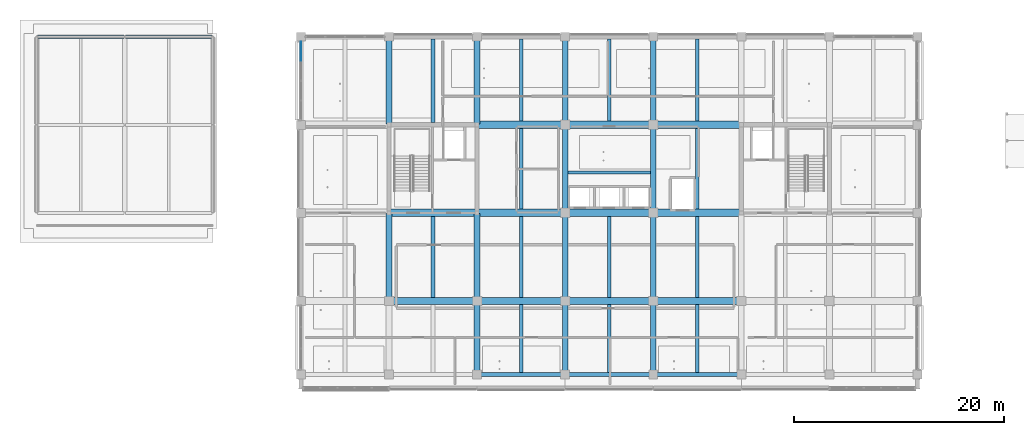
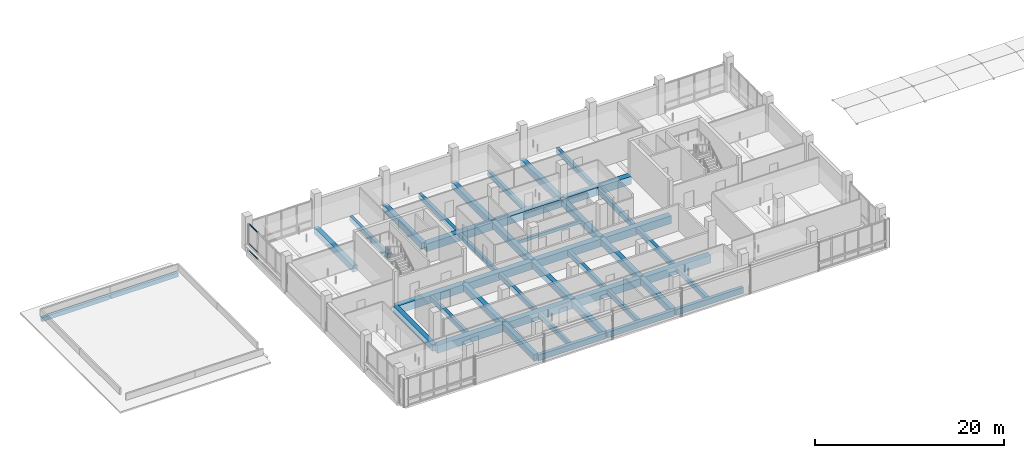
# One storey, part 5 of 39: 43 beams, 3 members, 1 element without a shape of its own.
"""IFC4 building model written with IfcOpenShell, lengths in metres."""

from ifc_helpers import new_model, si_unit, direction, frame, origin, origin_2d, place, context, subcontext, project, spatial, rectangle, extrude, material, layer, layer_set, material_profile, profile_set, type_object, element, aggregate, save


model = new_model("IFC4")

# Units and contexts
model_context = context("Model", 3, precision=1e-05, world=origin(), true_north=direction((0.0, 1.0)))
body_context = subcontext(model_context, "Body", "Model", "MODEL_VIEW")
ifc_project = project(units=[si_unit("LENGTHUNIT", "METRE"), si_unit("AREAUNIT", "SQUARE_METRE"), si_unit("VOLUMEUNIT", "CUBIC_METRE"), si_unit("PLANEANGLEUNIT", "RADIAN"), si_unit("MASSUNIT", "GRAM", prefix="KILO")], contexts=[model_context])

# Site, building, storey
site_placement = place(None, origin())
site = spatial("IfcSite", under=ifc_project, at=site_placement, CompositionType="ELEMENT")
building_placement = place(site_placement, origin())
building = spatial("IfcBuilding", under=site, at=building_placement, Name="Telukmera Botanical Conservatory", CompositionType="ELEMENT")
storey_placement = place(building_placement, frame((0.0, 0.0, 19.5)))
storey = spatial("IfcBuildingStorey", under=building, at=storey_placement, Name="L04", CompositionType="ELEMENT", Elevation=19.5)

# Beams
ifc_material_1 = material(Name="Concrete C50/60", Category="concrete")
ifc_material_profile_1 = material_profile(ifc_material_1, rectangle(XDim=0.699951171875, YDim=1.0, at=origin_2d()), Name="RC 700x1000")
ifc_profile_set_1 = profile_set([ifc_material_profile_1], Name="Concrete C50/60")
beam_type_1 = type_object("IfcBeamType", Name="Beam_B1", PredefinedType="BEAM", material=ifc_profile_set_1)
beam_1_placement = place(storey_placement, frame((58.8798828125, 17.60009765625, -0.5), z_axis=(1.0, 0.0, 0.0), x_axis=(0.0, 1.0, 0.0)))
element("IfcBeam", 1, at=beam_1_placement, inside=storey, type_object=beam_type_1, Name="Tower Grid Beam L04", PredefinedType="BEAM", context=body_context, shape_type="SweptSolid", body=[
    extrude(rectangle(XDim=0.699951171875, YDim=1.0, at=origin_2d()), origin(), (0.0, 0.0, 1.0), 8.240234375),
])
for number, where, z_axis, x_axis, name in (
    (2, (67.280029296875, 17.60009765625, -0.5), (1.0, 0.0, 0.0), (0.0, 1.0, 0.0), "Tower Grid Beam L04"),
    (3, (75.679931640625, 17.60009765625, -0.5), (1.0, 0.0, 0.0), (0.0, 1.0, 0.0), "Tower Grid Beam L04"),
    (4, (84.080078125, 17.60009765625, -0.5), (1.0, 0.0, 0.0), (0.0, 1.0, 0.0), "Tower Grid Beam L04"),
):
    element("IfcBeam", number, at=place(storey_placement, frame(where, z_axis=z_axis, x_axis=x_axis)), inside=storey, type_object=beam_type_1, Name=name, PredefinedType="BEAM", context=body_context, shape_type="SweptSolid", body=[
        extrude(rectangle(XDim=0.699951171875, YDim=1.0, at=origin_2d()), origin(), (0.0, 0.0, 1.0), 8.239990234375),
    ])
beam_2_placement = place(storey_placement, frame((58.8798828125, 26.0, -0.5), z_axis=(1.0, 0.0, 0.0), x_axis=(0.0, 1.0, 0.0)))
element("IfcBeam", 5, at=beam_2_placement, inside=storey, type_object=beam_type_1, Name="Tower Grid Beam L04", PredefinedType="BEAM", context=body_context, shape_type="SweptSolid", body=[
    extrude(rectangle(XDim=0.699951171875, YDim=1.0, at=origin_2d()), origin(), (0.0, 0.0, 1.0), 8.240234375),
])
for number, where, z_axis, x_axis, name in (
    (6, (67.280029296875, 26.0, -0.5), (1.0, 0.0, 0.0), (0.0, 1.0, 0.0), "Tower Grid Beam L04"),
    (7, (75.679931640625, 26.0, -0.5), (1.0, 0.0, 0.0), (0.0, 1.0, 0.0), "Tower Grid Beam L04"),
    (8, (84.080078125, 26.0, -0.5), (1.0, 0.0, 0.0), (0.0, 1.0, 0.0), "Tower Grid Beam L04"),
    (9, (67.280029296875, 34.39990234375, -0.5), (1.0, 0.0, 0.0), (0.0, 1.0, 0.0), "Tower Grid Beam L04"),
    (10, (75.679931640625, 34.39990234375, -0.5), (1.0, 0.0, 0.0), (0.0, 1.0, 0.0), "Tower Grid Beam L04"),
    (11, (84.080078125, 34.39990234375, -0.5), (1.0, 0.0, 0.0), (0.0, 1.0, 0.0), "Tower Grid Beam L04"),
):
    element("IfcBeam", number, at=place(storey_placement, frame(where, z_axis=z_axis, x_axis=x_axis)), inside=storey, type_object=beam_type_1, Name=name, PredefinedType="BEAM", context=body_context, shape_type="SweptSolid", body=[
        extrude(rectangle(XDim=0.699951171875, YDim=1.0, at=origin_2d()), origin(), (0.0, 0.0, 1.0), 8.239990234375),
    ])
ifc_material_2 = material(Name="Concrete C40/50", Category="concrete")
ifc_material_profile_2 = material_profile(ifc_material_2, rectangle(XDim=0.300048828125, YDim=0.550048828125, at=origin_2d()), Name="RC 300x550")
ifc_profile_set_2 = profile_set([ifc_material_profile_2], Name="Concrete C40/50")
beam_type_2 = type_object("IfcBeamType", Name="Beam_B10", PredefinedType="BEAM", material=ifc_profile_set_2)
for number, where, z_axis, x_axis, name in (
    (12, (25.280029296875, 42.800048828125, -0.27490234375), (1.0, 0.0, 0.0), (0.0, 1.0, 0.0), "Visitor Wing Grid Beam L04"),
    (13, (33.679931640625, 42.800048828125, -0.27490234375), (1.0, 0.0, 0.0), (0.0, 1.0, 0.0), "Visitor Wing Grid Beam L04"),
):
    element("IfcBeam", number, at=place(storey_placement, frame(where, z_axis=z_axis, x_axis=x_axis)), inside=storey, type_object=beam_type_2, Name=name, PredefinedType="BEAM", context=body_context, shape_type="SweptSolid", body=[
        extrude(rectangle(XDim=0.300048828125, YDim=0.550048828125, at=origin_2d()), origin(), (0.0, 0.0, 1.0), 8.239990234375),
    ])
ifc_material_profile_3 = material_profile(ifc_material_2, rectangle(XDim=0.35009765625, YDim=0.64990234375, at=origin_2d()), Name="RC 350x650")
ifc_profile_set_3 = profile_set([ifc_material_profile_3], Name="Concrete C40/50")
beam_type_3 = type_object("IfcBeamType", Name="Beam_B20", PredefinedType="JOIST", material=ifc_profile_set_3)
beam_3_placement = place(storey_placement, frame((63.0, 17.949951171875, -0.324951171875), z_axis=(0.0, 1.0, 0.0), x_axis=(-1.0, 0.0, 0.0)))
element("IfcBeam", 14, at=beam_3_placement, inside=storey, type_object=beam_type_3, Name="Tower Secondary Floor Joist L04", PredefinedType="JOIST", context=body_context, shape_type="SweptSolid", body=[
    extrude(rectangle(XDim=0.35009765625, YDim=0.64990234375, at=origin_2d()), origin(), (0.0, 0.0, 1.0), 7.699951171875),
])
beam_4_placement = place(storey_placement, frame((63.0, 34.60009765625, -0.324951171875), z_axis=(0.0, 1.0, 0.0), x_axis=(-1.0, 0.0, 0.0)))
element("IfcBeam", 15, at=beam_4_placement, inside=storey, type_object=beam_type_3, Name="Tower Secondary Floor Joist L04", PredefinedType="JOIST", context=body_context, shape_type="SweptSolid", body=[
    extrude(rectangle(XDim=0.35009765625, YDim=0.64990234375, at=origin_2d()), origin(), (0.0, 0.0, 1.0), 8.0),
])
beam_5_placement = place(storey_placement, frame((71.39990234375, 10.800048828125, -0.324951171875), z_axis=(0.0, 1.0, 0.0), x_axis=(-1.0, 0.0, 0.0)))
element("IfcBeam", 16, at=beam_5_placement, inside=storey, type_object=beam_type_3, Name="Tower Secondary Floor Joist L04", PredefinedType="JOIST", context=body_context, shape_type="SweptSolid", body=[
    extrude(rectangle(XDim=0.35009765625, YDim=0.64990234375, at=origin_2d()), origin(), (0.0, 0.0, 1.0), 6.449951171875),
])
for number, where, z_axis, x_axis, name in (
    (17, (71.39990234375, 17.949951171875, -0.324951171875), (0.0, 1.0, 0.0), (-1.0, 0.0, 0.0), "Tower Secondary Floor Joist L04"),
    (18, (71.39990234375, 26.35009765625, -0.324951171875), (0.0, 1.0, 0.0), (-1.0, 0.0, 0.0), "Tower Secondary Floor Joist L04"),
):
    element("IfcBeam", number, at=place(storey_placement, frame(where, z_axis=z_axis, x_axis=x_axis)), inside=storey, type_object=beam_type_3, Name=name, PredefinedType="JOIST", context=body_context, shape_type="SweptSolid", body=[
        extrude(rectangle(XDim=0.35009765625, YDim=0.64990234375, at=origin_2d()), origin(), (0.0, 0.0, 1.0), 7.699951171875),
    ])
beam_6_placement = place(storey_placement, frame((71.39990234375, 34.75, -0.324951171875), z_axis=(0.0, 1.0, 0.0), x_axis=(-1.0, 0.0, 0.0)))
element("IfcBeam", 19, at=beam_6_placement, inside=storey, type_object=beam_type_3, Name="Tower Secondary Floor Joist L04", PredefinedType="JOIST", context=body_context, shape_type="SweptSolid", body=[
    extrude(rectangle(XDim=0.35009765625, YDim=0.64990234375, at=origin_2d()), origin(), (0.0, 0.0, 1.0), 7.85009765625),
])
beam_7_placement = place(storey_placement, frame((79.800048828125, 10.800048828125, -0.324951171875), z_axis=(0.0, 1.0, 0.0), x_axis=(-1.0, 0.0, 0.0)))
element("IfcBeam", 20, at=beam_7_placement, inside=storey, type_object=beam_type_3, Name="Tower Secondary Floor Joist L04", PredefinedType="JOIST", context=body_context, shape_type="SweptSolid", body=[
    extrude(rectangle(XDim=0.35009765625, YDim=0.64990234375, at=origin_2d()), origin(), (0.0, 0.0, 1.0), 6.449951171875),
])
beam_8_placement = place(storey_placement, frame((79.800048828125, 17.949951171875, -0.324951171875), z_axis=(0.0, 1.0, 0.0), x_axis=(-1.0, 0.0, 0.0)))
element("IfcBeam", 21, at=beam_8_placement, inside=storey, type_object=beam_type_3, Name="Tower Secondary Floor Joist L04", PredefinedType="JOIST", context=body_context, shape_type="SweptSolid", body=[
    extrude(rectangle(XDim=0.35009765625, YDim=0.64990234375, at=origin_2d()), origin(), (0.0, 0.0, 1.0), 7.699951171875),
])
beam_9_placement = place(storey_placement, frame((79.800048828125, 34.75, -0.324951171875), z_axis=(0.0, 1.0, 0.0), x_axis=(-1.0, 0.0, 0.0)))
element("IfcBeam", 22, at=beam_9_placement, inside=storey, type_object=beam_type_3, Name="Tower Secondary Floor Joist L04", PredefinedType="JOIST", context=body_context, shape_type="SweptSolid", body=[
    extrude(rectangle(XDim=0.35009765625, YDim=0.64990234375, at=origin_2d()), origin(), (0.0, 0.0, 1.0), 7.85009765625),
])
beam_10_placement = place(storey_placement, frame((88.199951171875, 10.800048828125, -0.324951171875), z_axis=(0.0, 1.0, 0.0), x_axis=(-1.0, 0.0, 0.0)))
element("IfcBeam", 23, at=beam_10_placement, inside=storey, type_object=beam_type_3, Name="Tower Secondary Floor Joist L04", PredefinedType="JOIST", context=body_context, shape_type="SweptSolid", body=[
    extrude(rectangle(XDim=0.35009765625, YDim=0.64990234375, at=origin_2d()), origin(), (0.0, 0.0, 1.0), 6.449951171875),
])
for number, where, z_axis, x_axis, name in (
    (24, (88.199951171875, 17.949951171875, -0.324951171875), (0.0, 1.0, 0.0), (-1.0, 0.0, 0.0), "Tower Secondary Floor Joist L04"),
    (25, (88.199951171875, 26.35009765625, -0.324951171875), (0.0, 1.0, 0.0), (-1.0, 0.0, 0.0), "Tower Secondary Floor Joist L04"),
):
    element("IfcBeam", number, at=place(storey_placement, frame(where, z_axis=z_axis, x_axis=x_axis)), inside=storey, type_object=beam_type_3, Name=name, PredefinedType="JOIST", context=body_context, shape_type="SweptSolid", body=[
        extrude(rectangle(XDim=0.35009765625, YDim=0.64990234375, at=origin_2d()), origin(), (0.0, 0.0, 1.0), 7.699951171875),
    ])
beam_11_placement = place(storey_placement, frame((88.199951171875, 34.75, -0.324951171875), z_axis=(0.0, 1.0, 0.0), x_axis=(-1.0, 0.0, 0.0)))
element("IfcBeam", 26, at=beam_11_placement, inside=storey, type_object=beam_type_3, Name="Tower Secondary Floor Joist L04", PredefinedType="JOIST", context=body_context, shape_type="SweptSolid", body=[
    extrude(rectangle(XDim=0.35009765625, YDim=0.64990234375, at=origin_2d()), origin(), (0.0, 0.0, 1.0), 7.85009765625),
])
ifc_material_profile_4 = material_profile(ifc_material_2, rectangle(XDim=0.550048828125, YDim=0.85009765625, at=origin_2d()), Name="RC 550x850")
ifc_profile_set_4 = profile_set([ifc_material_profile_4], Name="Concrete C40/50")
beam_type_4 = type_object("IfcBeamType", Name="Beam_B4", PredefinedType="BEAM", material=ifc_profile_set_4)
for number, where, z_axis, x_axis, name in (
    (27, (58.800048828125, 17.679931640625, -0.425048828125), (0.0, 1.0, 0.0), (-1.0, 0.0, 0.0), "Tower Transverse Beam L04"),
    (28, (58.800048828125, 34.47998046875, -0.425048828125), (0.0, 1.0, 0.0), (-1.0, 0.0, 0.0), "Tower Transverse Beam L04"),
):
    element("IfcBeam", number, at=place(storey_placement, frame(where, z_axis=z_axis, x_axis=x_axis)), inside=storey, type_object=beam_type_4, Name=name, PredefinedType="BEAM", context=body_context, shape_type="SweptSolid", body=[
        extrude(rectangle(XDim=0.550048828125, YDim=0.85009765625, at=origin_2d()), origin(), (0.0, 0.0, 1.0), 8.239990234375),
    ])
beam_12_placement = place(storey_placement, frame((67.199951171875, 10.679931640625, -0.425048828125), z_axis=(0.0, 1.0, 0.0), x_axis=(-1.0, 0.0, 0.0)))
element("IfcBeam", 29, at=beam_12_placement, inside=storey, type_object=beam_type_4, Name="Tower Transverse Beam L04", PredefinedType="BEAM", context=body_context, shape_type="SweptSolid", body=[
    extrude(rectangle(XDim=0.550048828125, YDim=0.85009765625, at=origin_2d()), origin(), (0.0, 0.0, 1.0), 6.840087890625),
])
for number, where, z_axis, x_axis, name in (
    (30, (67.199951171875, 17.679931640625, -0.425048828125), (0.0, 1.0, 0.0), (-1.0, 0.0, 0.0), "Tower Transverse Beam L04"),
    (31, (67.199951171875, 34.47998046875, -0.425048828125), (0.0, 1.0, 0.0), (-1.0, 0.0, 0.0), "Tower Transverse Beam L04"),
):
    element("IfcBeam", number, at=place(storey_placement, frame(where, z_axis=z_axis, x_axis=x_axis)), inside=storey, type_object=beam_type_4, Name=name, PredefinedType="BEAM", context=body_context, shape_type="SweptSolid", body=[
        extrude(rectangle(XDim=0.550048828125, YDim=0.85009765625, at=origin_2d()), origin(), (0.0, 0.0, 1.0), 8.239990234375),
    ])
beam_13_placement = place(storey_placement, frame((75.60009765625, 10.679931640625, -0.425048828125), z_axis=(0.0, 1.0, 0.0), x_axis=(-1.0, 0.0, 0.0)))
element("IfcBeam", 32, at=beam_13_placement, inside=storey, type_object=beam_type_4, Name="Tower Transverse Beam L04", PredefinedType="BEAM", context=body_context, shape_type="SweptSolid", body=[
    extrude(rectangle(XDim=0.550048828125, YDim=0.85009765625, at=origin_2d()), origin(), (0.0, 0.0, 1.0), 6.840087890625),
])
for number, where, z_axis, x_axis, name in (
    (33, (75.60009765625, 17.679931640625, -0.425048828125), (0.0, 1.0, 0.0), (-1.0, 0.0, 0.0), "Tower Transverse Beam L04"),
    (34, (75.60009765625, 26.080078125, -0.425048828125), (0.0, 1.0, 0.0), (-1.0, 0.0, 0.0), "Tower Transverse Beam L04"),
    (35, (75.60009765625, 34.47998046875, -0.425048828125), (0.0, 1.0, 0.0), (-1.0, 0.0, 0.0), "Tower Transverse Beam L04"),
):
    element("IfcBeam", number, at=place(storey_placement, frame(where, z_axis=z_axis, x_axis=x_axis)), inside=storey, type_object=beam_type_4, Name=name, PredefinedType="BEAM", context=body_context, shape_type="SweptSolid", body=[
        extrude(rectangle(XDim=0.550048828125, YDim=0.85009765625, at=origin_2d()), origin(), (0.0, 0.0, 1.0), 8.239990234375),
    ])
beam_14_placement = place(storey_placement, frame((84.0, 10.679931640625, -0.425048828125), z_axis=(0.0, 1.0, 0.0), x_axis=(-1.0, 0.0, 0.0)))
element("IfcBeam", 36, at=beam_14_placement, inside=storey, type_object=beam_type_4, Name="Tower Transverse Beam L04", PredefinedType="BEAM", context=body_context, shape_type="SweptSolid", body=[
    extrude(rectangle(XDim=0.550048828125, YDim=0.85009765625, at=origin_2d()), origin(), (0.0, 0.0, 1.0), 6.840087890625),
])
for number, where, z_axis, x_axis, name in (
    (37, (84.0, 17.679931640625, -0.425048828125), (0.0, 1.0, 0.0), (-1.0, 0.0, 0.0), "Tower Transverse Beam L04"),
    (38, (84.0, 26.080078125, -0.425048828125), (0.0, 1.0, 0.0), (-1.0, 0.0, 0.0), "Tower Transverse Beam L04"),
    (39, (84.0, 34.47998046875, -0.425048828125), (0.0, 1.0, 0.0), (-1.0, 0.0, 0.0), "Tower Transverse Beam L04"),
):
    element("IfcBeam", number, at=place(storey_placement, frame(where, z_axis=z_axis, x_axis=x_axis)), inside=storey, type_object=beam_type_4, Name=name, PredefinedType="BEAM", context=body_context, shape_type="SweptSolid", body=[
        extrude(rectangle(XDim=0.550048828125, YDim=0.85009765625, at=origin_2d()), origin(), (0.0, 0.0, 1.0), 8.239990234375),
    ])
ifc_material_3 = material(Name="Precast concrete C40/50", Category="concrete")
ifc_material_profile_5 = material_profile(ifc_material_3, rectangle(XDim=0.300048828125, YDim=0.39990234375, at=origin_2d()), Name="PC 300x400")
ifc_profile_set_5 = profile_set([ifc_material_profile_5], Name="Precast concrete C40/50")
beam_type_5 = type_object("IfcBeamType", Name="Beam_LN1", PredefinedType="LINTEL", material=ifc_profile_set_5)
beam_15_placement = place(storey_placement, frame((75.875, 29.85009765625, -0.199951171875), z_axis=(1.0, 0.0, 0.0), x_axis=(0.0, 1.0, 0.0)))
element("IfcBeam", 40, at=beam_15_placement, inside=storey, type_object=beam_type_5, Name="Tower Lift Bank Header Lintel L04", PredefinedType="LINTEL", context=body_context, shape_type="SweptSolid", body=[
    extrude(rectangle(XDim=0.300048828125, YDim=0.39990234375, at=origin_2d()), origin(), (0.0, 0.0, 1.0), 7.85009765625),
])
ifc_material_profile_6 = material_profile(ifc_material_3, rectangle(XDim=0.39990234375, YDim=0.75, at=origin_2d()), Name="PC 400x750")
ifc_profile_set_6 = profile_set([ifc_material_profile_6], Name="Precast concrete C40/50")
beam_type_6 = type_object("IfcBeamType", Name="Beam_SP1", PredefinedType="SPANDREL", material=ifc_profile_set_6)
for number, where, z_axis, x_axis, name in (
    (41, (67.280029296875, 10.60009765625, -0.375), (1.0, 0.0, 0.0), (0.0, 1.0, 0.0), "Tower Grid Beam L04"),
    (42, (75.679931640625, 10.60009765625, -0.375), (1.0, 0.0, 0.0), (0.0, 1.0, 0.0), "Tower Grid Beam L04"),
    (43, (84.080078125, 10.60009765625, -0.375), (1.0, 0.0, 0.0), (0.0, 1.0, 0.0), "Tower Grid Beam L04"),
):
    element("IfcBeam", number, at=place(storey_placement, frame(where, z_axis=z_axis, x_axis=x_axis)), inside=storey, type_object=beam_type_6, Name=name, PredefinedType="SPANDREL", context=body_context, shape_type="SweptSolid", body=[
        extrude(rectangle(XDim=0.39990234375, YDim=0.75, at=origin_2d()), origin(), (0.0, 0.0, 1.0), 8.239990234375),
    ])

# Curtain wall, members
ifc_material_4 = material(Name="Anodised aluminium 6063-T6", Category="aluminium")
ifc_layer = layer(ifc_material_4, 0.179931640625)
ifc_layer_set = layer_set([ifc_layer], Name="Anodised aluminium 6063-T6")
curtain_wall_type = type_object("IfcCurtainWallType", Name="Tower Herbarium Curation Corner Curtain Wall", PredefinedType="USERDEFINED", material=ifc_layer_set)
curtain_wall_placement = place(storey_placement, origin())
curtain_wall = element("IfcCurtainWall", 44, at=curtain_wall_placement, inside=storey, type_object=curtain_wall_type, Name="Unitised Curtain Wall CW14 V4:L04:W4", ObjectType="UNITISED CURTAIN WALL", PredefinedType="USERDEFINED")
ifc_material_profile_7 = material_profile(ifc_material_4, rectangle(XDim=0.06494140625, YDim=0.1298828125, at=origin_2d()), Name="ALU TRAN 65x130")
ifc_profile_set_7 = profile_set([ifc_material_profile_7], Name="Anodised aluminium 6063-T6")
member_type = type_object("IfcMemberType", Name="Curtain Wall Extruded Transom 65x130", PredefinedType="USERDEFINED", material=ifc_profile_set_7)
member_1_placement = place(storey_placement, frame((50.39990234375, 40.51904296875, 0.06494140625), z_axis=(0.0, 1.0, 0.0), x_axis=(-1.0, 0.0, 0.0)))
member_1 = element("IfcMember", 45, at=member_1_placement, type_object=member_type, Name="CW14 transom 4.1", ObjectType="TRANSOM", PredefinedType="USERDEFINED", context=body_context, shape_type="SweptSolid", body=[
    extrude(rectangle(XDim=0.06494140625, YDim=0.1298828125, at=origin_2d()), origin(), (0.0, 0.0, 1.0), 1.7890625),
])
member_2_placement = place(storey_placement, frame((50.39990234375, 40.51904296875, 0.949951171875), z_axis=(0.0, 1.0, 0.0), x_axis=(-1.0, 0.0, 0.0)))
member_2 = element("IfcMember", 46, at=member_2_placement, type_object=member_type, Name="CW14 transom 4.2", ObjectType="TRANSOM", PredefinedType="USERDEFINED", context=body_context, shape_type="SweptSolid", body=[
    extrude(rectangle(XDim=0.06494140625, YDim=0.1298828125, at=origin_2d()), origin(), (0.0, 0.0, 1.0), 1.7890625),
])
member_3_placement = place(storey_placement, frame((50.39990234375, 40.51904296875, 3.485107421875), z_axis=(0.0, 1.0, 0.0), x_axis=(-1.0, 0.0, 0.0)))
member_3 = element("IfcMember", 47, at=member_3_placement, type_object=member_type, Name="CW14 transom 4.3", ObjectType="TRANSOM", PredefinedType="USERDEFINED", context=body_context, shape_type="SweptSolid", body=[
    extrude(rectangle(XDim=0.06494140625, YDim=0.1298828125, at=origin_2d()), origin(), (0.0, 0.0, 1.0), 1.7890625),
])
aggregate(curtain_wall, [member_1, member_2, member_3])

save(model, "model.ifc")
